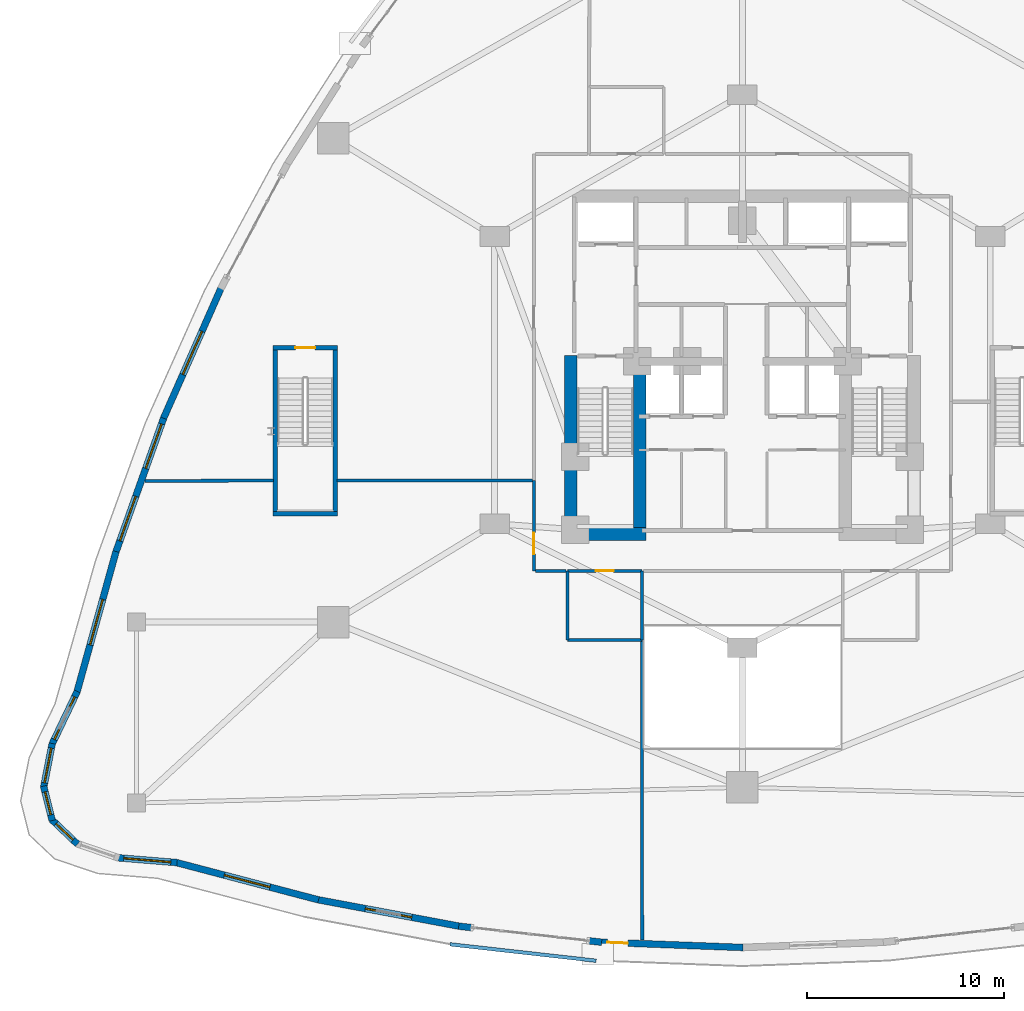
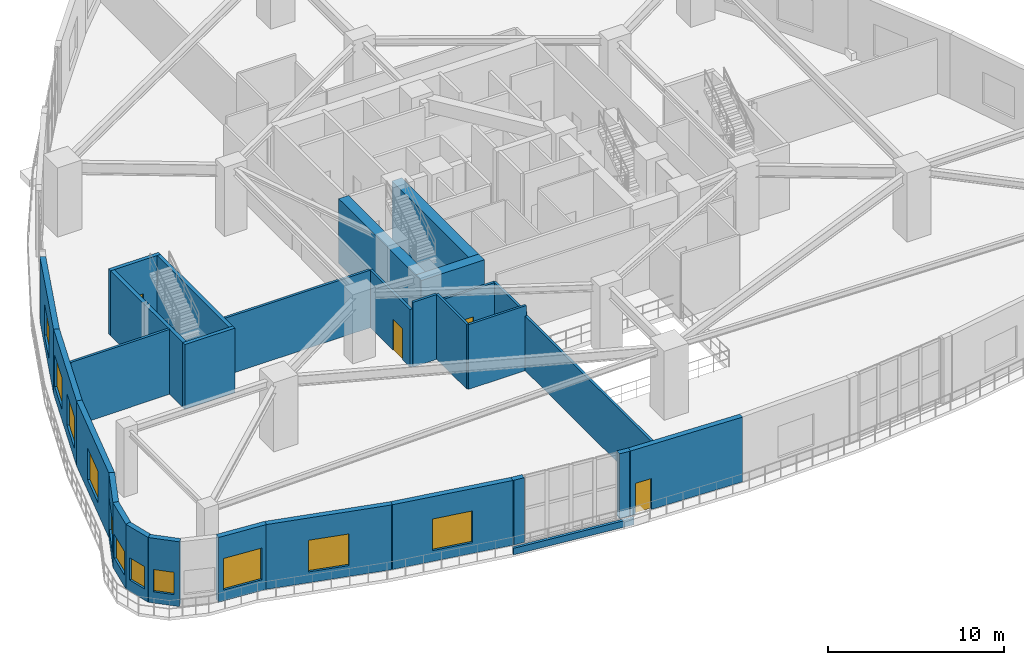
# One storey, part 15 of 25: 30 walls, 11 windows, 4 doors, 15 openings.
"""IFC4 building model written with IfcOpenShell, lengths in metres."""

from ifc_helpers import new_model, si_unit, direction, frame, frame_2d, origin, place, context, subcontext, project, spatial, rectangle, extrude, material, layer, layer_set, type_object, element, fill, save


model = new_model("IFC4")

# Units and contexts
model_context = context("Model", 3, precision=1e-05, world=origin(), true_north=direction((0.0, 1.0)))
body_context = subcontext(model_context, "Body", "Model", "MODEL_VIEW")
ifc_project = project(units=[si_unit("LENGTHUNIT", "METRE"), si_unit("AREAUNIT", "SQUARE_METRE"), si_unit("VOLUMEUNIT", "CUBIC_METRE"), si_unit("PLANEANGLEUNIT", "RADIAN"), si_unit("MASSUNIT", "GRAM", prefix="KILO")], contexts=[model_context])

# Site, building, storey
site_placement = place(None, origin())
site = spatial("IfcSite", under=ifc_project, at=site_placement, CompositionType="ELEMENT")
building_placement = place(site_placement, origin())
building = spatial("IfcBuilding", under=site, at=building_placement, Name="Miruveldt Soraemaru", CompositionType="ELEMENT")
storey_placement = place(building_placement, frame((0.0, 0.0, 4.800048828125)))
storey = spatial("IfcBuildingStorey", under=building, at=storey_placement, Name="L02", CompositionType="ELEMENT", Elevation=4.800048828125)

# Wall, opening, door
ifc_material_1 = material(Name="Concrete C50/60 (50 MPa)", Category="concrete")
ifc_layer_1 = layer(ifc_material_1, 0.419921875, Name="Concrete C50/60 (50 MPa)", Category="concrete")
ifc_layer_set_1 = layer_set([ifc_layer_1], Name="Concrete C50/60 (50 MPa)")
wall_type_1 = type_object("IfcWallType", Name="WALL-CW-420", PredefinedType="SHEAR", material=ifc_layer_set_1)
wall_1_placement = place(storey_placement, frame((20.1298828125, 44.75, 0.0), z_axis=(0.0, 0.0, 1.0), x_axis=(1.0, 0.0, 0.0)))
wall_1 = element("IfcWall", 1, at=wall_1_placement, inside=storey, type_object=wall_type_1, Name="L02 Protected Exit Stair ST-3 Structural Shaft Wall N", PredefinedType="SHEAR", context=body_context, shape_type="SweptSolid", body=[
    extrude(rectangle(XDim=3.2900390625, YDim=0.239990234375, at=frame_2d((1.64501953125, 0.0))), origin(), (0.0, 0.0, 1.0), 4.5),
])
opening_1_placement = place(wall_1_placement, frame((1.14501953125, 0.0, 0.0)))
opening_1 = element("IfcOpeningElement", 2, at=opening_1_placement, cuts=wall_1, Name="Opening FD1", PredefinedType="OPENING", context=body_context, shape_type="SweptSolid", body=[
    extrude(rectangle(XDim=1.0, YDim=2.14990234375, at=frame_2d((0.5, 1.074951171875))), frame((0.0, 0.1298828125, 0.0), z_axis=(0.0, -1.0, 0.0), x_axis=(1.0, 0.0, 0.0)), (0.0, 0.0, 1.0), 0.260009765625),
])
ifc_material_2 = material(Name="Anodised aluminium EN AW-6063 T6", Category="aluminium")
door_type_1 = type_object("IfcDoorType", Name="DOOR-FD1-1000", OperationType="NOTDEFINED", PredefinedType="DOOR", material=ifc_material_2)
door_1_placement = place(opening_1_placement, frame((1.0, 0.0, 0.0), z_axis=(0.0, 0.0, 1.0), x_axis=(-1.0, 0.0, 0.0)))
door_1 = element("IfcDoor", 3, at=door_1_placement, inside=storey, type_object=door_type_1, Name="L02 Protected Exit Stair ST-3 Fire Door", OperationType="SINGLE_SWING_LEFT", OverallHeight=2.14990234375, OverallWidth=1.0, PredefinedType="DOOR", context=body_context, shape_type="SweptSolid", body=[
    extrude(rectangle(XDim=1.0, YDim=2.14990234375, at=frame_2d((0.5, 1.074951171875))), frame((0.0, 0.02490234375, 0.0), z_axis=(0.0, -1.0, 0.0), x_axis=(1.0, 0.0, 0.0)), (0.0, 0.0, 1.0), 0.050048828125),
])
fill(opening_1, door_1)

# Walls
for number, where, z_axis, x_axis, name in (
    (4, (20.25, 36.35009765625, 0.0), (0.0, 0.0, 1.0), (0.0, 1.0, 0.0), "L02 Protected Exit Stair ST-3 Structural Shaft Wall W"),
    (5, (23.300048828125, 36.35009765625, 0.0), (0.0, 0.0, 1.0), (0.0, 1.0, 0.0), "L02 Protected Exit Stair ST-3 Structural Shaft Wall E"),
):
    element("IfcWall", number, at=place(storey_placement, frame(where, z_axis=z_axis, x_axis=x_axis)), inside=storey, type_object=wall_type_1, Name=name, PredefinedType="SHEAR", context=body_context, shape_type="SweptSolid", body=[
        extrude(rectangle(XDim=8.349853515625, YDim=0.239990234375, at=frame_2d((4.1748046875, 0.0))), origin(), (0.0, 0.0, 1.0), 4.5),
    ])
wall_2_placement = place(storey_placement, frame((20.1298828125, 36.300048828125, 0.0), z_axis=(0.0, 0.0, 1.0), x_axis=(1.0, 0.0, 0.0)))
element("IfcWall", 6, at=wall_2_placement, inside=storey, type_object=wall_type_1, Name="L02 Protected Exit Stair ST-3 Structural Shaft Wall S", PredefinedType="SHEAR", context=body_context, shape_type="SweptSolid", body=[
    extrude(rectangle(XDim=3.2900390625, YDim=0.239990234375, at=frame_2d((1.64501953125, 0.0))), origin(), (0.0, 0.0, 1.0), 4.5),
])
ifc_material_3 = material(Name="Concrete C80/95 (80 MPa)", Category="concrete")
ifc_layer_2 = layer(ifc_material_3, 0.64990234375, Name="Concrete C80/95 (80 MPa)", Category="concrete")
ifc_layer_set_2 = layer_set([ifc_layer_2], Name="Concrete C80/95 (80 MPa)")
wall_type_2 = type_object("IfcWallType", Name="WALL-CW-650", PredefinedType="SHEAR", material=ifc_layer_set_2)
wall_3_placement = place(storey_placement, frame((34.949951171875, 35.27490234375, 0.0), z_axis=(0.0, 0.0, 1.0), x_axis=(1.0, 0.0, 0.0)))
element("IfcWall", 7, at=wall_3_placement, inside=storey, type_object=wall_type_2, Name="L02 Central Core Shear Wall S1", PredefinedType="SHEAR", context=body_context, shape_type="SweptSolid", body=[
    extrude(rectangle(XDim=4.150146484375, YDim=0.64990234375, at=frame_2d((2.0751953125, 0.0))), origin(), (0.0, 0.0, 1.0), 4.5),
])
wall_4_placement = place(storey_placement, frame((35.27490234375, 34.949951171875, 0.0), z_axis=(0.0, 0.0, 1.0), x_axis=(0.0, 1.0, 0.0)))
element("IfcWall", 8, at=wall_4_placement, inside=storey, type_object=wall_type_2, Name="L02 Central Core Shear Wall W1", PredefinedType="SHEAR", context=body_context, shape_type="SweptSolid", body=[
    extrude(rectangle(XDim=9.400146484375, YDim=0.64990234375, at=frame_2d((4.7001953125, 0.0))), origin(), (0.0, 0.0, 1.0), 4.5),
])
wall_5_placement = place(storey_placement, frame((38.77490234375, 35.39990234375, 0.0), z_axis=(0.0, 0.0, 1.0), x_axis=(0.0, 1.0, 0.0)))
element("IfcWall", 9, at=wall_5_placement, inside=storey, type_object=wall_type_2, Name="L02 Central Core Shear Wall SW-INT", PredefinedType="SHEAR", context=body_context, shape_type="SweptSolid", body=[
    extrude(rectangle(XDim=8.9501953125, YDim=0.64990234375, at=frame_2d((4.47509765625, 0.0))), origin(), (0.0, 0.0, 1.0), 4.5),
])

# Wall, opening, window
ifc_material_4 = material(Name="Precast concrete C45/55 (45 MPa)", Category="concrete")
ifc_layer_3 = layer(ifc_material_4, 0.340087890625, Name="Precast concrete C45/55 (45 MPa)", Category="concrete")
ifc_layer_set_3 = layer_set([ifc_layer_3], Name="Precast concrete C45/55 (45 MPa)")
wall_type_3 = type_object("IfcWallType", Name="WALL-EXT-PC340", PredefinedType="SOLIDWALL", material=ifc_layer_set_3)
wall_6_placement = place(storey_placement, frame((17.505615234375, 47.80029296875, 0.0), z_axis=(0.0, 0.0, 1.0), x_axis=(-0.40401716618, -0.914751403077, 0.0)))
wall_6 = element("IfcWall", 10, at=wall_6_placement, inside=storey, type_object=wall_type_3, Name="L02 Precast Concrete Facade Wall 12", PredefinedType="SOLIDWALL", context=body_context, shape_type="SweptSolid", body=[
    extrude(rectangle(XDim=7.25439453125, YDim=0.340087890625, at=frame_2d((3.627197265625, 0.0))), origin(), (0.0, 0.0, 1.0), 4.5),
])
opening_2_placement = place(wall_6_placement, frame((2.427978515625, 0.0, 0.75)))
opening_2 = element("IfcOpeningElement", 11, at=opening_2_placement, cuts=wall_6, Name="Opening WN-5", PredefinedType="OPENING", context=body_context, shape_type="SweptSolid", body=[
    extrude(rectangle(XDim=2.39990234375, YDim=2.199951171875, at=frame_2d((1.199951171875, 1.10009765625))), frame((0.0, 0.18017578125, 0.0), z_axis=(0.0, -1.0, 0.0), x_axis=(1.0, 0.0, 0.0)), (0.0, 0.0, 1.0), 0.360107421875),
])
ifc_material_5 = material(Name="Triple low-e insulated glazing", Category="glass")
window_type_1 = type_object("IfcWindowType", Name="WIN-PODM-2400x2200", PartitioningType="SINGLE_PANEL", PredefinedType="WINDOW", material=ifc_material_5)
window_1_placement = place(opening_2_placement, origin())
window_1 = element("IfcWindow", 12, at=window_1_placement, inside=storey, type_object=window_type_1, Name="L02 Punched Triple-Glazed Window 12.1", OverallHeight=2.199951171875, OverallWidth=2.39990234375, PartitioningType="SINGLE_PANEL", PredefinedType="WINDOW", context=body_context, shape_type="SweptSolid", body=[
    extrude(rectangle(XDim=2.39990234375, YDim=2.199951171875, at=frame_2d((1.199951171875, 1.10009765625))), frame((0.0, 0.030029296875, 0.0), z_axis=(0.0, -1.0, 0.0), x_axis=(1.0, 0.0, 0.0)), (0.0, 0.0, 1.0), 0.06005859375),
])
fill(opening_2, window_1)

# Wall, openings, windows
wall_7_placement = place(storey_placement, frame((14.6005859375, 41.229248046875, 0.0), z_axis=(0.0, 0.0, 1.0), x_axis=(-0.335971563965, -0.941872129435, 0.0)))
wall_7 = element("IfcWall", 13, at=wall_7_placement, inside=storey, type_object=wall_type_3, Name="L02 Precast Concrete Facade Wall 13", PredefinedType="SOLIDWALL", context=body_context, shape_type="SweptSolid", body=[
    extrude(rectangle(XDim=7.334228515625, YDim=0.340087890625, at=frame_2d((3.6669921875, 0.0))), origin(), (0.0, 0.0, 1.0), 4.5),
])
opening_3_placement = place(wall_7_placement, frame((0.3798828125, 0.0, 0.75)))
opening_3 = element("IfcOpeningElement", 14, at=opening_3_placement, cuts=wall_7, Name="Opening WN-5", PredefinedType="OPENING", context=body_context, shape_type="SweptSolid", body=[
    extrude(rectangle(XDim=2.39990234375, YDim=2.199951171875, at=frame_2d((1.199951171875, 1.10009765625))), frame((0.0, 0.18017578125, 0.0), z_axis=(0.0, -1.0, 0.0), x_axis=(1.0, 0.0, 0.0)), (0.0, 0.0, 1.0), 0.360107421875),
])
opening_4_placement = place(wall_7_placement, frame((4.287109375, 0.0, 0.75)))
opening_4 = element("IfcOpeningElement", 15, at=opening_4_placement, cuts=wall_7, Name="Opening WN-5", PredefinedType="OPENING", context=body_context, shape_type="SweptSolid", body=[
    extrude(rectangle(XDim=2.39990234375, YDim=2.199951171875, at=frame_2d((1.199951171875, 1.10009765625))), frame((0.0, 0.18017578125, 0.0), z_axis=(0.0, -1.0, 0.0), x_axis=(1.0, 0.0, 0.0)), (0.0, 0.0, 1.0), 0.360107421875),
])
window_2_placement = place(opening_3_placement, origin())
window_2 = element("IfcWindow", 16, at=window_2_placement, inside=storey, type_object=window_type_1, Name="L02 Punched Triple-Glazed Window 13.1", OverallHeight=2.199951171875, OverallWidth=2.39990234375, PartitioningType="SINGLE_PANEL", PredefinedType="WINDOW", context=body_context, shape_type="SweptSolid", body=[
    extrude(rectangle(XDim=2.39990234375, YDim=2.199951171875, at=frame_2d((1.199951171875, 1.10009765625))), frame((0.0, 0.030029296875, 0.0), z_axis=(0.0, -1.0, 0.0), x_axis=(1.0, 0.0, 0.0)), (0.0, 0.0, 1.0), 0.06005859375),
])
fill(opening_3, window_2)
window_3_placement = place(opening_4_placement, origin())
window_3 = element("IfcWindow", 17, at=window_3_placement, inside=storey, type_object=window_type_1, Name="L02 Punched Triple-Glazed Window 13.2", OverallHeight=2.199951171875, OverallWidth=2.39990234375, PartitioningType="SINGLE_PANEL", PredefinedType="WINDOW", context=body_context, shape_type="SweptSolid", body=[
    extrude(rectangle(XDim=2.39990234375, YDim=2.199951171875, at=frame_2d((1.199951171875, 1.10009765625))), frame((0.0, 0.030029296875, 0.0), z_axis=(0.0, -1.0, 0.0), x_axis=(1.0, 0.0, 0.0)), (0.0, 0.0, 1.0), 0.06005859375),
])
fill(opening_4, window_3)

# Wall, opening, window
wall_8_placement = place(storey_placement, frame((12.15771484375, 34.387939453125, 0.0), z_axis=(0.0, 0.0, 1.0), x_axis=(-0.26796828645, -0.963427733386, 0.0)))
wall_8 = element("IfcWall", 18, at=wall_8_placement, inside=storey, type_object=wall_type_3, Name="L02 Precast Concrete Facade Wall 14", PredefinedType="SOLIDWALL", context=body_context, shape_type="SweptSolid", body=[
    extrude(rectangle(XDim=7.45166015625, YDim=0.340087890625, at=frame_2d((3.725830078125, 0.0))), origin(), (0.0, 0.0, 1.0), 4.5),
])
opening_5_placement = place(wall_8_placement, frame((2.52587890625, 0.0, 0.75)))
opening_5 = element("IfcOpeningElement", 19, at=opening_5_placement, cuts=wall_8, Name="Opening WN-5", PredefinedType="OPENING", context=body_context, shape_type="SweptSolid", body=[
    extrude(rectangle(XDim=2.39990234375, YDim=2.199951171875, at=frame_2d((1.199951171875, 1.10009765625))), frame((0.0, 0.18017578125, 0.0), z_axis=(0.0, -1.0, 0.0), x_axis=(1.0, 0.0, 0.0)), (0.0, 0.0, 1.0), 0.360107421875),
])
window_4_placement = place(opening_5_placement, origin())
window_4 = element("IfcWindow", 20, at=window_4_placement, inside=storey, type_object=window_type_1, Name="L02 Punched Triple-Glazed Window 14.1", OverallHeight=2.199951171875, OverallWidth=2.39990234375, PartitioningType="SINGLE_PANEL", PredefinedType="WINDOW", context=body_context, shape_type="SweptSolid", body=[
    extrude(rectangle(XDim=2.39990234375, YDim=2.199951171875, at=frame_2d((1.199951171875, 1.10009765625))), frame((0.0, 0.030029296875, 0.0), z_axis=(0.0, -1.0, 0.0), x_axis=(1.0, 0.0, 0.0)), (0.0, 0.0, 1.0), 0.06005859375),
])
fill(opening_5, window_4)

wall_9_placement = place(storey_placement, frame((10.185546875, 27.27392578125, 0.0), z_axis=(0.0, 0.0, 1.0), x_axis=(-0.430658891488, -0.902514775049, 0.0)))
wall_9 = element("IfcWall", 21, at=wall_9_placement, inside=storey, type_object=wall_type_3, Name="L02 Precast Concrete Facade Wall 15", PredefinedType="SOLIDWALL", context=body_context, shape_type="SweptSolid", body=[
    extrude(rectangle(XDim=3.004638671875, YDim=0.340087890625, at=frame_2d((1.50244140625, 0.0))), origin(), (0.0, 0.0, 1.0), 4.5),
])
opening_6_placement = place(wall_9_placement, frame((0.302978515625, 0.0, 0.75)))
opening_6 = element("IfcOpeningElement", 22, at=opening_6_placement, cuts=wall_9, Name="Opening WN-5", PredefinedType="OPENING", context=body_context, shape_type="SweptSolid", body=[
    extrude(rectangle(XDim=2.39990234375, YDim=2.199951171875, at=frame_2d((1.199951171875, 1.10009765625))), frame((0.0, 0.18017578125, 0.0), z_axis=(0.0, -1.0, 0.0), x_axis=(1.0, 0.0, 0.0)), (0.0, 0.0, 1.0), 0.360107421875),
])
window_5_placement = place(opening_6_placement, origin())
window_5 = element("IfcWindow", 23, at=window_5_placement, inside=storey, type_object=window_type_1, Name="L02 Punched Triple-Glazed Window 15.1", OverallHeight=2.199951171875, OverallWidth=2.39990234375, PartitioningType="SINGLE_PANEL", PredefinedType="WINDOW", context=body_context, shape_type="SweptSolid", body=[
    extrude(rectangle(XDim=2.39990234375, YDim=2.199951171875, at=frame_2d((1.199951171875, 1.10009765625))), frame((0.0, 0.030029296875, 0.0), z_axis=(0.0, -1.0, 0.0), x_axis=(1.0, 0.0, 0.0)), (0.0, 0.0, 1.0), 0.06005859375),
])
fill(opening_6, window_5)

wall_10_placement = place(storey_placement, frame((8.913330078125, 24.62841796875, 0.0), z_axis=(0.0, 0.0, 1.0), x_axis=(-0.1907950651, -0.981629891117, 0.0)))
wall_10 = element("IfcWall", 24, at=wall_10_placement, inside=storey, type_object=wall_type_3, Name="L02 Precast Concrete Facade Wall 16", PredefinedType="SOLIDWALL", context=body_context, shape_type="SweptSolid", body=[
    extrude(rectangle(XDim=2.277587890625, YDim=0.340087890625, at=frame_2d((1.138671875, 0.0))), origin(), (0.0, 0.0, 1.0), 4.5),
])
opening_7_placement = place(wall_10_placement, frame((0.239013671875, 0.0, 0.800048828125)))
opening_7 = element("IfcOpeningElement", 25, at=opening_7_placement, cuts=wall_10, Name="Opening WN-2", PredefinedType="OPENING", context=body_context, shape_type="SweptSolid", body=[
    extrude(rectangle(XDim=1.800048828125, YDim=1.64990234375, at=frame_2d((0.89990234375, 0.824951171875))), frame((0.0, 0.18017578125, 0.0), z_axis=(0.0, -1.0, 0.0), x_axis=(1.0, 0.0, 0.0)), (0.0, 0.0, 1.0), 0.360107421875),
])
window_type_2 = type_object("IfcWindowType", Name="WIN-PUNCH-1800x1650", PartitioningType="SINGLE_PANEL", PredefinedType="WINDOW", material=ifc_material_5)
window_6_placement = place(opening_7_placement, origin())
window_6 = element("IfcWindow", 26, at=window_6_placement, inside=storey, type_object=window_type_2, Name="L02 Punched Triple-Glazed Window 16.1", OverallHeight=1.64990234375, OverallWidth=1.800048828125, PartitioningType="SINGLE_PANEL", PredefinedType="WINDOW", context=body_context, shape_type="SweptSolid", body=[
    extrude(rectangle(XDim=1.800048828125, YDim=1.64990234375, at=frame_2d((0.89990234375, 0.824951171875))), frame((0.0, 0.030029296875, 0.0), z_axis=(0.0, -1.0, 0.0), x_axis=(1.0, 0.0, 0.0)), (0.0, 0.0, 1.0), 0.06005859375),
])
fill(opening_7, window_6)

wall_11_placement = place(storey_placement, frame((8.47705078125, 22.4609375, 0.0), z_axis=(0.0, 0.0, 1.0), x_axis=(0.242472056551, -0.970158390054, 0.0)))
wall_11 = element("IfcWall", 27, at=wall_11_placement, inside=storey, type_object=wall_type_3, Name="L02 Precast Concrete Facade Wall 17", PredefinedType="SOLIDWALL", context=body_context, shape_type="SweptSolid", body=[
    extrude(rectangle(XDim=1.807373046875, YDim=0.340087890625, at=frame_2d((0.90380859375, 0.0))), origin(), (0.0, 0.0, 1.0), 4.5),
])
opening_8_placement = place(wall_11_placement, frame((0.302978515625, 0.0, 0.780029296875)))
opening_8 = element("IfcOpeningElement", 28, at=opening_8_placement, cuts=wall_11, Name="Opening WN-4", PredefinedType="OPENING", context=body_context, shape_type="SweptSolid", body=[
    extrude(rectangle(XDim=1.199951171875, YDim=1.550048828125, at=frame_2d((0.60009765625, 0.77490234375))), frame((0.0, 0.18017578125, 0.0), z_axis=(0.0, -1.0, 0.0), x_axis=(1.0, 0.0, 0.0)), (0.0, 0.0, 1.0), 0.360107421875),
])
window_type_3 = type_object("IfcWindowType", Name="WIN-PUNCH-1200x1550", PartitioningType="SINGLE_PANEL", PredefinedType="WINDOW", material=ifc_material_5)
window_7_placement = place(opening_8_placement, origin())
window_7 = element("IfcWindow", 29, at=window_7_placement, inside=storey, type_object=window_type_3, Name="L02 Punched Triple-Glazed Window 17.1", OverallHeight=1.550048828125, OverallWidth=1.199951171875, PartitioningType="SINGLE_PANEL", PredefinedType="WINDOW", context=body_context, shape_type="SweptSolid", body=[
    extrude(rectangle(XDim=1.199951171875, YDim=1.550048828125, at=frame_2d((0.60009765625, 0.77490234375))), frame((0.0, 0.030029296875, 0.0), z_axis=(0.0, -1.0, 0.0), x_axis=(1.0, 0.0, 0.0)), (0.0, 0.0, 1.0), 0.06005859375),
])
fill(opening_8, window_7)

wall_12_placement = place(storey_placement, frame((8.88134765625, 20.765625, 0.0), z_axis=(0.0, 0.0, 1.0), x_axis=(0.724045179036, -0.6897525489, 0.0)))
wall_12 = element("IfcWall", 30, at=wall_12_placement, inside=storey, type_object=wall_type_3, Name="L02 Precast Concrete Facade Wall 18", PredefinedType="SOLIDWALL", context=body_context, shape_type="SweptSolid", body=[
    extrude(rectangle(XDim=1.8154296875, YDim=0.340087890625, at=frame_2d((0.90771484375, 0.0))), origin(), (0.0, 0.0, 1.0), 4.5),
])
opening_9_placement = place(wall_12_placement, frame((0.306884765625, 0.0, 0.780029296875)))
opening_9 = element("IfcOpeningElement", 31, at=opening_9_placement, cuts=wall_12, Name="Opening WN-4", PredefinedType="OPENING", context=body_context, shape_type="SweptSolid", body=[
    extrude(rectangle(XDim=1.199951171875, YDim=1.550048828125, at=frame_2d((0.60009765625, 0.77490234375))), frame((0.0, 0.18017578125, 0.0), z_axis=(0.0, -1.0, 0.0), x_axis=(1.0, 0.0, 0.0)), (0.0, 0.0, 1.0), 0.360107421875),
])
window_8_placement = place(opening_9_placement, origin())
window_8 = element("IfcWindow", 32, at=window_8_placement, inside=storey, type_object=window_type_3, Name="L02 Punched Triple-Glazed Window 18.1", OverallHeight=1.550048828125, OverallWidth=1.199951171875, PartitioningType="SINGLE_PANEL", PredefinedType="WINDOW", context=body_context, shape_type="SweptSolid", body=[
    extrude(rectangle(XDim=1.199951171875, YDim=1.550048828125, at=frame_2d((0.60009765625, 0.77490234375))), frame((0.0, 0.030029296875, 0.0), z_axis=(0.0, -1.0, 0.0), x_axis=(1.0, 0.0, 0.0)), (0.0, 0.0, 1.0), 0.06005859375),
])
fill(opening_9, window_8)

wall_13_placement = place(storey_placement, frame((12.24169921875, 18.818115234375, 0.0), z_axis=(0.0, 0.0, 1.0), x_axis=(0.996686616646, -0.081337495648, 0.0)))
wall_13 = element("IfcWall", 33, at=wall_13_placement, inside=storey, type_object=wall_type_3, Name="L02 Precast Concrete Facade Wall 20", PredefinedType="SOLIDWALL", context=body_context, shape_type="SweptSolid", body=[
    extrude(rectangle(XDim=3.028564453125, YDim=0.340087890625, at=frame_2d((1.51416015625, 0.0))), origin(), (0.0, 0.0, 1.0), 4.5),
])
opening_10_placement = place(wall_13_placement, frame((0.31494140625, 0.0, 0.75)))
opening_10 = element("IfcOpeningElement", 34, at=opening_10_placement, cuts=wall_13, Name="Opening WN-5", PredefinedType="OPENING", context=body_context, shape_type="SweptSolid", body=[
    extrude(rectangle(XDim=2.39990234375, YDim=2.199951171875, at=frame_2d((1.199951171875, 1.10009765625))), frame((0.0, 0.18017578125, 0.0), z_axis=(0.0, -1.0, 0.0), x_axis=(1.0, 0.0, 0.0)), (0.0, 0.0, 1.0), 0.360107421875),
])
window_9_placement = place(opening_10_placement, origin())
window_9 = element("IfcWindow", 35, at=window_9_placement, inside=storey, type_object=window_type_1, Name="L02 Punched Triple-Glazed Window 20.1", OverallHeight=2.199951171875, OverallWidth=2.39990234375, PartitioningType="SINGLE_PANEL", PredefinedType="WINDOW", context=body_context, shape_type="SweptSolid", body=[
    extrude(rectangle(XDim=2.39990234375, YDim=2.199951171875, at=frame_2d((1.199951171875, 1.10009765625))), frame((0.0, 0.030029296875, 0.0), z_axis=(0.0, -1.0, 0.0), x_axis=(1.0, 0.0, 0.0)), (0.0, 0.0, 1.0), 0.06005859375),
])
fill(opening_10, window_9)

wall_14_placement = place(storey_placement, frame((15.19140625, 18.58349609375, 0.0), z_axis=(0.0, 0.0, 1.0), x_axis=(0.967227271717, -0.253912199091, 0.0)))
wall_14 = element("IfcWall", 36, at=wall_14_placement, inside=storey, type_object=wall_type_3, Name="L02 Precast Concrete Facade Wall 21", PredefinedType="SOLIDWALL", context=body_context, shape_type="SweptSolid", body=[
    extrude(rectangle(XDim=7.507568359375, YDim=0.340087890625, at=frame_2d((3.75390625, 0.0))), origin(), (0.0, 0.0, 1.0), 4.5),
])
opening_11_placement = place(wall_14_placement, frame((2.553955078125, 0.0, 0.75)))
opening_11 = element("IfcOpeningElement", 37, at=opening_11_placement, cuts=wall_14, Name="Opening WN-5", PredefinedType="OPENING", context=body_context, shape_type="SweptSolid", body=[
    extrude(rectangle(XDim=2.39990234375, YDim=2.199951171875, at=frame_2d((1.199951171875, 1.10009765625))), frame((0.0, 0.18017578125, 0.0), z_axis=(0.0, -1.0, 0.0), x_axis=(1.0, 0.0, 0.0)), (0.0, 0.0, 1.0), 0.360107421875),
])
window_10_placement = place(opening_11_placement, origin())
window_10 = element("IfcWindow", 38, at=window_10_placement, inside=storey, type_object=window_type_1, Name="L02 Punched Triple-Glazed Window 21.1", OverallHeight=2.199951171875, OverallWidth=2.39990234375, PartitioningType="SINGLE_PANEL", PredefinedType="WINDOW", context=body_context, shape_type="SweptSolid", body=[
    extrude(rectangle(XDim=2.39990234375, YDim=2.199951171875, at=frame_2d((1.199951171875, 1.10009765625))), frame((0.0, 0.030029296875, 0.0), z_axis=(0.0, -1.0, 0.0), x_axis=(1.0, 0.0, 0.0)), (0.0, 0.0, 1.0), 0.06005859375),
])
fill(opening_11, window_10)

wall_15_placement = place(storey_placement, frame((22.384765625, 16.692626953125, 0.0), z_axis=(0.0, 0.0, 1.0), x_axis=(0.982869568495, -0.184302499515, 0.0)))
wall_15 = element("IfcWall", 39, at=wall_15_placement, inside=storey, type_object=wall_type_3, Name="L02 Precast Concrete Facade Wall 22", PredefinedType="SOLIDWALL", context=body_context, shape_type="SweptSolid", body=[
    extrude(rectangle(XDim=7.388916015625, YDim=0.340087890625, at=frame_2d((3.6943359375, 0.0))), origin(), (0.0, 0.0, 1.0), 4.5),
])
opening_12_placement = place(wall_15_placement, frame((2.493896484375, 0.0, 0.75)))
opening_12 = element("IfcOpeningElement", 40, at=opening_12_placement, cuts=wall_15, Name="Opening WN-5", PredefinedType="OPENING", context=body_context, shape_type="SweptSolid", body=[
    extrude(rectangle(XDim=2.39990234375, YDim=2.199951171875, at=frame_2d((1.199951171875, 1.10009765625))), frame((0.0, 0.18017578125, 0.0), z_axis=(0.0, -1.0, 0.0), x_axis=(1.0, 0.0, 0.0)), (0.0, 0.0, 1.0), 0.360107421875),
])
window_11_placement = place(opening_12_placement, origin())
window_11 = element("IfcWindow", 41, at=window_11_placement, inside=storey, type_object=window_type_1, Name="L02 Punched Triple-Glazed Window 22.1", OverallHeight=2.199951171875, OverallWidth=2.39990234375, PartitioningType="SINGLE_PANEL", PredefinedType="WINDOW", context=body_context, shape_type="SweptSolid", body=[
    extrude(rectangle(XDim=2.39990234375, YDim=2.199951171875, at=frame_2d((1.199951171875, 1.10009765625))), frame((0.0, 0.030029296875, 0.0), z_axis=(0.0, -1.0, 0.0), x_axis=(1.0, 0.0, 0.0)), (0.0, 0.0, 1.0), 0.06005859375),
])
fill(opening_12, window_11)

# Walls
wall_16_placement = place(storey_placement, frame((29.577880859375, 15.34130859375, 0.0), z_axis=(0.0, 0.0, 1.0), x_axis=(0.993726507007, -0.11183751281, 0.0)))
element("IfcWall", 42, at=wall_16_placement, inside=storey, type_object=wall_type_3, Name="L02 Precast Pier Left 23", PredefinedType="SOLIDWALL", context=body_context, shape_type="SweptSolid", body=[
    extrude(rectangle(XDim=0.705078125, YDim=0.340087890625, at=frame_2d((0.3525390625, 0.0))), origin(), (0.0, 0.0, 1.0), 4.5),
])
wall_17_placement = place(storey_placement, frame((36.140380859375, 14.60302734375, 0.0), z_axis=(0.0, 0.0, 1.0), x_axis=(0.993730835492, -0.111799045581, 0.0)))
element("IfcWall", 43, at=wall_17_placement, inside=storey, type_object=wall_type_3, Name="L02 Precast Pier Right 23", PredefinedType="SOLIDWALL", context=body_context, shape_type="SweptSolid", body=[
    extrude(rectangle(XDim=0.705322265625, YDim=0.340087890625, at=frame_2d((0.3525390625, 0.0))), origin(), (0.0, 0.0, 1.0), 4.5),
])

# Wall, opening, door
wall_18_placement = place(storey_placement, frame((36.771484375, 14.529296875, 0.0), z_axis=(0.0, 0.0, 1.0), x_axis=(0.99929844876, -0.037451439292, 0.0)))
wall_18 = element("IfcWall", 44, at=wall_18_placement, inside=storey, type_object=wall_type_3, Name="L02 Precast Concrete Facade Wall 24", PredefinedType="SOLIDWALL", context=body_context, shape_type="SweptSolid", body=[
    extrude(rectangle(XDim=7.2685546875, YDim=0.340087890625, at=frame_2d((3.63427734375, 0.0))), origin(), (0.0, 0.0, 1.0), 4.5),
])
opening_13_placement = place(wall_18_placement, frame((0.35791015625, 0.0, 0.0)))
opening_13 = element("IfcOpeningElement", 45, at=opening_13_placement, cuts=wall_18, Name="Opening TD-1", PredefinedType="OPENING", context=body_context, shape_type="SweptSolid", body=[
    extrude(rectangle(XDim=1.050048828125, YDim=2.14990234375, at=frame_2d((0.52490234375, 1.074951171875))), frame((0.0, 0.18017578125, 0.0), z_axis=(0.0, -1.0, 0.0), x_axis=(1.0, 0.0, 0.0)), (0.0, 0.0, 1.0), 0.360107421875),
])
door_type_2 = type_object("IfcDoorType", Name="DOOR-TER-1050", OperationType="NOTDEFINED", PredefinedType="DOOR", material=ifc_material_2)
door_2_placement = place(opening_13_placement, frame((1.050048828125, 0.0, 0.0), z_axis=(0.0, 0.0, 1.0), x_axis=(-1.0, 0.0, 0.0)))
door_2 = element("IfcDoor", 46, at=door_2_placement, inside=storey, type_object=door_type_2, Name="L02 Terrace Access Glazed Door 24", OperationType="SINGLE_SWING_LEFT", OverallHeight=2.14990234375, OverallWidth=1.050048828125, PredefinedType="DOOR", context=body_context, shape_type="SweptSolid", body=[
    extrude(rectangle(XDim=1.050048828125, YDim=2.14990234375, at=frame_2d((0.52490234375, 1.074951171875))), frame((0.0, 0.02490234375, 0.0), z_axis=(0.0, -1.0, 0.0), x_axis=(1.0, 0.0, 0.0)), (0.0, 0.0, 1.0), 0.050048828125),
])
fill(opening_13, door_2)

ifc_material_6 = material(Name="Gypsum plasterboard lining", Category="gypsum")
ifc_layer_4 = layer(ifc_material_6, 0.14990234375, Name="Gypsum plasterboard lining", Category="gypsum")
ifc_layer_set_4 = layer_set([ifc_layer_4], Name="Gypsum plasterboard lining")
wall_type_4 = type_object("IfcWallType", Name="WALL-INT-PLUMB", PredefinedType="PLUMBINGWALL", material=ifc_layer_set_4)
wall_19_placement = place(storey_placement, frame((35.10009765625, 33.39990234375, 0.0), z_axis=(0.0, 0.0, 1.0), x_axis=(1.0, 0.0, 0.0)))
wall_19 = element("IfcWall", 47, at=wall_19_placement, inside=storey, type_object=wall_type_4, Name="L02 Partition Wall 2", PredefinedType="PLUMBINGWALL", context=body_context, shape_type="SweptSolid", body=[
    extrude(rectangle(XDim=3.7998046875, YDim=0.14990234375, at=frame_2d((1.89990234375, 0.0))), origin(), (0.0, 0.0, 1.0), 4.0),
])
opening_14_placement = place(wall_19_placement, frame((1.449951171875, 0.0, 0.0)))
opening_14 = element("IfcOpeningElement", 48, at=opening_14_placement, cuts=wall_19, Name="Opening D3", PredefinedType="OPENING", context=body_context, shape_type="SweptSolid", body=[
    extrude(rectangle(XDim=0.89990234375, YDim=2.10009765625, at=frame_2d((0.449951171875, 1.050048828125))), frame((0.0, 0.0849609375, 0.0), z_axis=(0.0, -1.0, 0.0), x_axis=(1.0, 0.0, 0.0)), (0.0, 0.0, 1.0), 0.169921875),
])
door_type_3 = type_object("IfcDoorType", Name="DOOR-INT-900", OperationType="NOTDEFINED", PredefinedType="DOOR", material=ifc_material_2)
door_3_placement = place(opening_14_placement, origin())
door_3 = element("IfcDoor", 49, at=door_3_placement, inside=storey, type_object=door_type_3, Name="L02 Public Female Restroom Door", OperationType="SINGLE_SWING_LEFT", OverallHeight=2.10009765625, OverallWidth=0.89990234375, PredefinedType="DOOR", context=body_context, shape_type="SweptSolid", body=[
    extrude(rectangle(XDim=0.89990234375, YDim=2.10009765625, at=frame_2d((0.449951171875, 1.050048828125))), frame((0.0, 0.02490234375, 0.0), z_axis=(0.0, -1.0, 0.0), x_axis=(1.0, 0.0, 0.0)), (0.0, 0.0, 1.0), 0.050048828125),
])
fill(opening_14, door_3)

# Walls
wall_20_placement = place(storey_placement, frame((35.10009765625, 29.89990234375, 0.0), z_axis=(0.0, 0.0, 1.0), x_axis=(1.0, 0.0, 0.0)))
element("IfcWall", 50, at=wall_20_placement, inside=storey, type_object=wall_type_4, Name="L02 Partition Wall 19", PredefinedType="PLUMBINGWALL", context=body_context, shape_type="SweptSolid", body=[
    extrude(rectangle(XDim=3.7998046875, YDim=0.14990234375, at=frame_2d((1.89990234375, 0.0))), origin(), (0.0, 0.0, 1.0), 4.5),
])
wall_21_placement = place(storey_placement, frame((35.10009765625, 33.39990234375, 0.0), z_axis=(0.0, 0.0, 1.0), x_axis=(0.0, -1.0, 0.0)))
element("IfcWall", 51, at=wall_21_placement, inside=storey, type_object=wall_type_4, Name="L02 Partition Wall 18", PredefinedType="PLUMBINGWALL", context=body_context, shape_type="SweptSolid", body=[
    extrude(rectangle(XDim=3.5, YDim=0.14990234375, at=frame_2d((1.75, 0.0))), origin(), (0.0, 0.0, 1.0), 4.5),
])
wall_22_placement = place(storey_placement, frame((38.89990234375, 29.89990234375, 0.0), z_axis=(0.0, 0.0, 1.0), x_axis=(0.0, 1.0, 0.0)))
element("IfcWall", 52, at=wall_22_placement, inside=storey, type_object=wall_type_4, Name="L02 Partition Wall 20", PredefinedType="PLUMBINGWALL", context=body_context, shape_type="SweptSolid", body=[
    extrude(rectangle(XDim=3.5, YDim=0.14990234375, at=frame_2d((1.75, 0.0))), origin(), (0.0, 0.0, 1.0), 4.0),
])

# Wall, opening, door
ifc_material_7 = material(Name="Concrete C40/50 (40 MPa)", Category="concrete")
ifc_layer_5 = layer(ifc_material_7, 0.159912109375, Name="Concrete C40/50 (40 MPa)", Category="concrete")
ifc_layer_set_5 = layer_set([ifc_layer_5], Name="Concrete C40/50 (40 MPa)")
wall_type_5 = type_object("IfcWallType", Name="WALL-INT-RC160", PredefinedType="SOLIDWALL", material=ifc_layer_set_5)
wall_23_placement = place(storey_placement, frame((33.39990234375, 38.0, 0.0), z_axis=(0.0, 0.0, 1.0), x_axis=(0.0, -1.0, 0.0)))
wall_23 = element("IfcWall", 53, at=wall_23_placement, inside=storey, type_object=wall_type_5, Name="L02 Partition Wall 4", PredefinedType="SOLIDWALL", context=body_context, shape_type="SweptSolid", body=[
    extrude(rectangle(XDim=4.60009765625, YDim=0.159912109375, at=frame_2d((2.300048828125, 0.0))), origin(), (0.0, 0.0, 1.0), 4.0),
])
opening_15_placement = place(wall_23_placement, frame((2.64990234375, 0.0, 0.0)))
opening_15 = element("IfcOpeningElement", 54, at=opening_15_placement, cuts=wall_23, Name="Opening FD1A", PredefinedType="OPENING", context=body_context, shape_type="SweptSolid", body=[
    extrude(rectangle(XDim=1.10009765625, YDim=2.14990234375, at=frame_2d((0.550048828125, 1.074951171875))), frame((0.0, 0.08984375, 0.0), z_axis=(0.0, -1.0, 0.0), x_axis=(1.0, 0.0, 0.0)), (0.0, 0.0, 1.0), 0.179931640625),
])
door_type_4 = type_object("IfcDoorType", Name="DOOR-FD1-1100", OperationType="NOTDEFINED", PredefinedType="DOOR", material=ifc_material_2)
door_4_placement = place(opening_15_placement, origin())
door_4 = element("IfcDoor", 55, at=door_4_placement, inside=storey, type_object=door_type_4, Name="L02 Atrium Mezzanine Lounge Entrance Door", OperationType="SINGLE_SWING_LEFT", OverallHeight=2.14990234375, OverallWidth=1.10009765625, PredefinedType="DOOR", context=body_context, shape_type="SweptSolid", body=[
    extrude(rectangle(XDim=1.10009765625, YDim=2.14990234375, at=frame_2d((0.550048828125, 1.074951171875))), frame((0.0, 0.02490234375, 0.0), z_axis=(0.0, -1.0, 0.0), x_axis=(1.0, 0.0, 0.0)), (0.0, 0.0, 1.0), 0.050048828125),
])
fill(opening_15, door_4)

# Walls
wall_24_placement = place(storey_placement, frame((38.904052734375, 14.635009765625, 0.0), z_axis=(0.0, 0.0, 1.0), x_axis=(-0.000271891233, 0.999999963038, 0.0)))
element("IfcWall", 56, at=wall_24_placement, inside=storey, type_object=wall_type_5, Name="L02 Partition Wall 24", PredefinedType="SOLIDWALL", context=body_context, shape_type="SweptSolid", body=[
    extrude(rectangle(XDim=15.264892578125, YDim=0.159912109375, at=frame_2d((7.63232421875, 0.0))), origin(), (0.0, 0.0, 1.0), 3.787841796875),
])
wall_25_placement = place(storey_placement, frame((33.320068359375, 38.0, 0.0), z_axis=(0.0, 0.0, 1.0), x_axis=(-1.0, 0.0, 0.0)))
element("IfcWall", 57, at=wall_25_placement, inside=storey, type_object=wall_type_5, Name="L02 Partition Wall 25", PredefinedType="SOLIDWALL", context=body_context, shape_type="SweptSolid", body=[
    extrude(rectangle(XDim=9.940185546875, YDim=0.159912109375, at=frame_2d((4.97021484375, 0.0))), origin(), (0.0, 0.0, 1.0), 4.0),
])
wall_26_placement = place(storey_placement, frame((20.169921875, 38.0, 0.0), z_axis=(0.0, 0.0, 1.0), x_axis=(-0.999985738217, -0.005340726818, 0.0)))
element("IfcWall", 58, at=wall_26_placement, inside=storey, type_object=wall_type_5, Name="L02 Partition Wall 26", PredefinedType="SOLIDWALL", context=body_context, shape_type="SweptSolid", body=[
    extrude(rectangle(XDim=6.536865234375, YDim=0.159912109375, at=frame_2d((3.2685546875, 0.0))), origin(), (0.0, 0.0, 1.0), 4.5),
])
wall_27_placement = place(storey_placement, frame((33.47998046875, 33.39990234375, 0.0), z_axis=(0.0, 0.0, 1.0), x_axis=(1.0, 0.0, 0.0)))
element("IfcWall", 59, at=wall_27_placement, inside=storey, type_object=wall_type_5, Name="L02 Partition Wall 5", PredefinedType="SOLIDWALL", context=body_context, shape_type="SweptSolid", body=[
    extrude(rectangle(XDim=1.5400390625, YDim=0.159912109375, at=frame_2d((0.77001953125, 0.0))), origin(), (0.0, 0.0, 1.0), 4.5),
])
ifc_layer_6 = layer(ifc_material_4, 0.179931640625, Name="Precast concrete C45/55 (45 MPa)", Category="concrete")
ifc_layer_set_6 = layer_set([ifc_layer_6], Name="Precast concrete C45/55 (45 MPa)")
wall_type_6 = type_object("IfcWallType", Name="WALL-PAR-180", PredefinedType="PARAPET", material=ifc_layer_set_6)
wall_28_placement = place(storey_placement, frame((29.132080078125, 14.418701171875, 0.0), z_axis=(0.0, 0.0, 1.0), x_axis=(0.993733174173, -0.111778256151, 0.0)))
element("IfcWall", 60, at=wall_28_placement, inside=storey, type_object=wall_type_6, Name="L02 Terrace Upstand Parapet 22", PredefinedType="PARAPET", context=body_context, shape_type="SweptSolid", body=[
    extrude(rectangle(XDim=7.480712890625, YDim=0.179931640625, at=frame_2d((3.740234375, 0.0))), origin(), (0.0, 0.0, 1.0), 0.449951171875),
])

save(model, "model.ifc")
